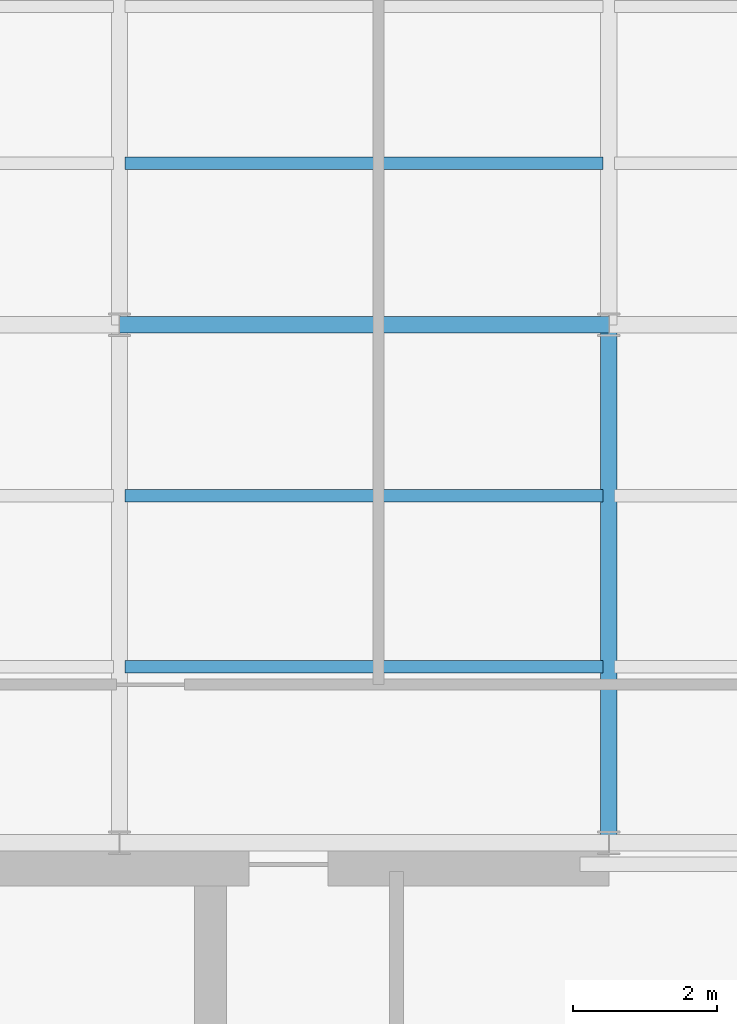
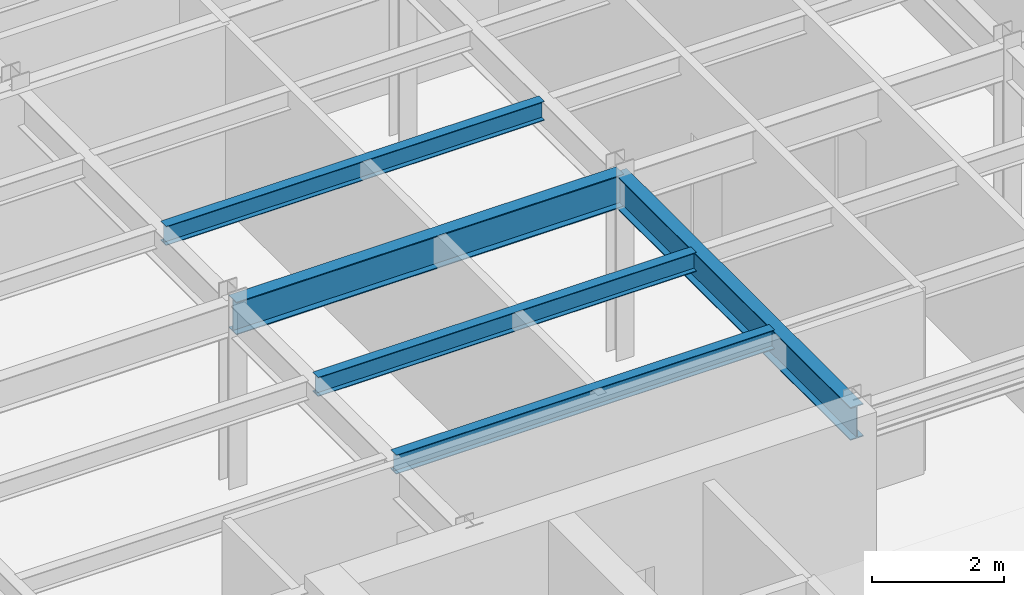
# One storey, part 6 of 22: 5 beams.
"""IFC4 building model written with IfcOpenShell, lengths in metres."""

import ifcopenshell
import ifcopenshell.guid

model = None  # the IFC model being written
_history = None  # IfcOwnerHistory: only IFC2X3 demands one
_inside = {}  # id of a spatial element -> (the spatial element, [elements in it])
_under = {}  # id of a project, library or spatial element -> (it, [spatial elements below it])
_declared = {}  # id of a project -> (the project, [libraries it declares])
_typed = {}  # id of a type object -> (the type object, [elements of that type])
_made_of = {}  # id of a material, layer set ... -> (it, [elements and type objects made of it])


def new_model(schema):
    """Start an empty IFC model of exactly this schema.

    Asked for "IFC4X3", IfcOpenShell would pick the latest addendum, in which some entities
    have other attributes; the version numbers below select the first issue.
    IFC2X3 requires an IfcOwnerHistory on every rooted entity: one is made here for all.
    """
    global model, _history
    if schema == "IFC4X3":
        model = ifcopenshell.file(schema_version=(4, 3, 0, 0))
    else:
        model = ifcopenshell.file(schema=schema)
    _inside.clear()
    _under.clear()
    _declared.clear()
    _typed.clear()
    _made_of.clear()
    _history = None
    if model.schema == "IFC2X3":
        org = make("IfcOrganization", Name="unknown")
        user = make(
            "IfcPersonAndOrganization",
            ThePerson=make("IfcPerson", FamilyName="unknown"),
            TheOrganization=org,
        )
        app = make(
            "IfcApplication",
            ApplicationDeveloper=org,
            Version="unknown",
            ApplicationFullName="unknown",
            ApplicationIdentifier="unknown",
        )
        _history = make(
            "IfcOwnerHistory",
            OwningUser=user,
            OwningApplication=app,
            ChangeAction="ADDED",
            CreationDate=0,
        )
    return model


def make(cls, **values):
    """One entity of the class cls with the attributes given. An attribute that is None is left unset."""
    return model.create_entity(
        cls, **{name: value for name, value in values.items() if value is not None}
    )


def rooted(cls, **values):
    """An entity with a GlobalId (a new one), such as an element, a storey or a relation."""
    return make(cls, GlobalId=ifcopenshell.guid.new(), OwnerHistory=_history, **values)


def si_unit(unit_type, name, prefix=None):
    """IfcSIUnit, for example si_unit("LENGTHUNIT", "METRE", prefix="MILLI")."""
    return make("IfcSIUnit", UnitType=unit_type, Prefix=prefix, Name=name)


def derived_unit(unit_type, elements):
    """IfcDerivedUnit: a product of units, each with its exponent."""
    return make(
        "IfcDerivedUnit",
        Elements=[
            make("IfcDerivedUnitElement", Unit=unit, Exponent=power)
            for unit, power in elements
        ],
        UnitType=unit_type,
    )


def assignment(units):
    """IfcUnitAssignment: the units of a project."""
    return None if units is None else make("IfcUnitAssignment", Units=units)


def point(xyz):
    """IfcCartesianPoint."""
    return None if xyz is None else make("IfcCartesianPoint", Coordinates=xyz)


def direction(xyz):
    """IfcDirection."""
    return None if xyz is None else make("IfcDirection", DirectionRatios=xyz)


def frame(location, z_axis=None, x_axis=None):
    """IfcAxis2Placement3D, a coordinate frame: its origin and axes. An axis left out is left unset."""
    return make(
        "IfcAxis2Placement3D",
        Location=point(location),
        Axis=direction(z_axis),
        RefDirection=direction(x_axis),
    )


def frame_2d(location, x_axis=None):
    """IfcAxis2Placement2D, a coordinate frame in the plane: its origin and x axis."""
    return make(
        "IfcAxis2Placement2D", Location=point(location), RefDirection=direction(x_axis)
    )


def origin():
    """The frame at (0, 0, 0) with its axes left unset."""
    return frame((0.0, 0.0, 0.0))


def origin_2d():
    """The frame at (0, 0) in the plane with its x axis left unset."""
    return frame_2d((0.0, 0.0))


def place(relative_to, where):
    """IfcLocalPlacement: puts the frame where relative to a parent placement (None: the world)."""
    return make(
        "IfcLocalPlacement", PlacementRelTo=relative_to, RelativePlacement=where
    )


def context(
    kind, dimensions, precision=None, world=None, true_north=None, identifier=None
):
    """IfcGeometricRepresentationContext, for example the 3D "Model" context."""
    return make(
        "IfcGeometricRepresentationContext",
        ContextIdentifier=identifier,
        ContextType=kind,
        CoordinateSpaceDimension=dimensions,
        Precision=precision,
        WorldCoordinateSystem=world,
        TrueNorth=true_north,
    )


def subcontext(parent, identifier, kind, view, scale=None):
    """IfcGeometricRepresentationSubContext, for example "Body" below "Model"."""
    return make(
        "IfcGeometricRepresentationSubContext",
        ContextIdentifier=identifier,
        ContextType=kind,
        ParentContext=parent,
        TargetScale=scale,
        TargetView=view,
    )


def project(units=None, contexts=None):
    """IfcProject with its units and contexts."""
    return rooted(
        "IfcProject",
        Name="project",
        RepresentationContexts=contexts,
        UnitsInContext=assignment(units),
    )


def spatial(cls, under=None, at=None, **own):
    """A site, building, storey or space (cls), placed at a placement, below another one or the project."""
    s = rooted(cls, ObjectPlacement=at, **own)
    if under is not None:
        _under.setdefault(under.id(), (under, []))[1].append(s)
    return s


def profile(cls, at=None, kind="AREA", **sizes):
    """A parametric profile (cls). Its sizes go by their IFC names, for example OverallWidth=200.0."""
    return make(cls, ProfileType=kind, Position=at, **sizes)


def i_section(**sizes):
    """IfcIShapeProfileDef."""
    return profile("IfcIShapeProfileDef", **sizes)


def extrude(swept, where, along, depth):
    """IfcExtrudedAreaSolid: the profile swept, set in the frame where, extruded along a direction by depth."""
    return make(
        "IfcExtrudedAreaSolid",
        SweptArea=swept,
        Position=where,
        ExtrudedDirection=direction(along),
        Depth=depth,
    )


def shape(context_of_items, identifier, shape_type, items):
    """IfcShapeRepresentation: the items that make up one representation, for example the "Body"."""
    return make(
        "IfcShapeRepresentation",
        ContextOfItems=context_of_items,
        RepresentationIdentifier=identifier,
        RepresentationType=shape_type,
        Items=items,
    )


def source(mapping_origin, context_of_items, identifier, shape_type, items):
    """IfcRepresentationMap: a shape defined once, which mapped items show again and again."""
    return make(
        "IfcRepresentationMap",
        MappingOrigin=mapping_origin,
        MappedRepresentation=shape(context_of_items, identifier, shape_type, items),
    )


def transform(
    local_origin,
    x_axis=None,
    y_axis=None,
    z_axis=None,
    scale=None,
    scale2=None,
    scale3=None,
    uniform=True,
):
    """IfcCartesianTransformationOperator3D, or its non-uniform kind. x_axis, y_axis, z_axis: its Axis1, 2, 3."""
    if uniform:
        return make(
            "IfcCartesianTransformationOperator3D",
            Axis1=direction(x_axis),
            Axis2=direction(y_axis),
            LocalOrigin=point(local_origin),
            Scale=scale,
            Axis3=direction(z_axis),
        )
    return make(
        "IfcCartesianTransformationOperator3DnonUniform",
        Axis1=direction(x_axis),
        Axis2=direction(y_axis),
        LocalOrigin=point(local_origin),
        Scale=scale,
        Axis3=direction(z_axis),
        Scale2=scale2,
        Scale3=scale3,
    )


def mapped(mapping_source, mapping_target):
    """IfcMappedItem: shows the shape of a source again, moved by a transform."""
    return make(
        "IfcMappedItem", MappingSource=mapping_source, MappingTarget=mapping_target
    )


def material(Name=None, Category=None):
    """IfcMaterial."""
    return make("IfcMaterial", Name=Name, Category=Category)


def material_profile(
    of_material, cross_section, Name=None, Category=None, Priority=None
):
    """IfcMaterialProfile: a cross section and its material."""
    return make(
        "IfcMaterialProfile",
        Name=Name,
        Material=of_material,
        Profile=cross_section,
        Priority=Priority,
        Category=Category,
    )


def profile_set(profiles, Name=None, composite=None):
    """IfcMaterialProfileSet."""
    return make(
        "IfcMaterialProfileSet",
        Name=Name,
        MaterialProfiles=profiles,
        CompositeProfile=composite,
    )


def made_of(thing, what):
    """Note that an element or type object is made of a material, layer set ...; save() writes the relation."""
    if what is not None:
        _made_of.setdefault(what.id(), (what, []))[1].append(thing)
    return thing


def type_object(cls, material=None, **own):
    """A type object (cls), such as IfcWallType, which elements share."""
    return made_of(rooted(cls, **own), material)


def element(
    cls,
    number,
    at=None,
    inside=None,
    cuts=None,
    type_object=None,
    material=None,
    context=None,
    identifier="Body",
    shape_type=None,
    held_by="IfcProductDefinitionShape",
    body=None,
    shapes=None,
    **own,
):
    """One element of the class cls, such as IfcWall. Its Tag is "e" and its number.

    at: its placement. inside: the storey or other place that contains it. cuts: it is an
    opening in that element (IfcRelVoidsElement). A single representation is given by context,
    identifier, shape_type and body (its items); several are given by shapes. held_by: the class
    of the entity that holds the representations. save() writes the other relations.
    """
    e = rooted(cls, Tag="e%d" % number, ObjectPlacement=at, **own)
    if body is not None:
        shapes = [shape(context, identifier, shape_type, body)]
    if shapes is not None:
        e.Representation = make(held_by, Representations=shapes)
    if inside is not None:
        _inside.setdefault(inside.id(), (inside, []))[1].append(e)
    if cuts is not None:
        rooted(
            "IfcRelVoidsElement", RelatingBuildingElement=cuts, RelatedOpeningElement=e
        )
    if type_object is not None:
        _typed.setdefault(type_object.id(), (type_object, []))[1].append(e)
    return made_of(e, material)


def aggregate(whole, parts):
    """IfcRelAggregates: a whole, such as a stair, and the parts it consists of."""
    return rooted("IfcRelAggregates", RelatingObject=whole, RelatedObjects=parts)


def save(model, path):
    """Write the relations noted so far, then the file.

    IfcRelAggregates (storeys below a building ...), IfcRelContainedInSpatialStructure (elements
    in a storey), IfcRelDefinesByType, IfcRelAssociatesMaterial and IfcRelDeclares: one each for
    every whole, place, type object, material and project.
    """
    for whole, parts in _under.values():
        aggregate(whole, parts)
    for where, things in _inside.values():
        rooted(
            "IfcRelContainedInSpatialStructure",
            RelatedElements=things,
            RelatingStructure=where,
        )
    for kind, things in _typed.values():
        rooted("IfcRelDefinesByType", RelatedObjects=things, RelatingType=kind)
    for what, things in _made_of.values():
        rooted("IfcRelAssociatesMaterial", RelatedObjects=things, RelatingMaterial=what)
    for by, libraries in _declared.values():
        rooted("IfcRelDeclares", RelatingContext=by, RelatedDefinitions=libraries)
    model.write(path)


model = new_model("IFC4")

# Units and contexts
model_context = context("Model", 3, precision=1e-05, world=origin(), true_north=direction((0.0, 1.0)))
body_context = subcontext(model_context, "Body", "Model", "MODEL_VIEW")
ifc_project = project(units=[si_unit("LENGTHUNIT", "METRE"), si_unit("AREAUNIT", "SQUARE_METRE"), si_unit("VOLUMEUNIT", "CUBIC_METRE"), si_unit("PLANEANGLEUNIT", "RADIAN"), si_unit("MASSUNIT", "GRAM", prefix="KILO"), derived_unit("THERMALTRANSMITTANCEUNIT", [(si_unit("POWERUNIT", "WATT"), 1), (si_unit("LENGTHUNIT", "METRE"), -2), (si_unit("THERMODYNAMICTEMPERATUREUNIT", "KELVIN"), -1)])], contexts=[model_context])

# Site, building, storey
site_placement = place(None, origin())
site = spatial("IfcSite", under=ifc_project, at=site_placement, CompositionType="ELEMENT")
building_placement = place(site_placement, origin())
building = spatial("IfcBuilding", under=site, at=building_placement, Name="Skarnbrae Concourse Arena and Tower", CompositionType="ELEMENT")
storey_placement = place(building_placement, frame((0.0, 0.0, 214.14990234375)))
storey = spatial("IfcBuildingStorey", under=building, at=storey_placement, Name="L55", CompositionType="ELEMENT", Elevation=214.14990234375)

# Beams
ifc_material = material(Name="Steel CSA G40.21 350W", Category="steel")
ifc_material_profile_1 = material_profile(ifc_material, i_section(OverallWidth=0.22802734375, OverallDepth=0.60791015625, WebThickness=0.01123046875, FlangeThickness=0.017333984375, at=origin_2d()), Name="W610X113")
ifc_profile_set_1 = profile_set([ifc_material_profile_1], Name="Steel CSA G40.21 350W")
beam_type_1 = type_object("IfcBeamType", Name="BM-GIRD-W610X113", PredefinedType="BEAM", material=ifc_profile_set_1)
shared_shape_1 = source(origin(), body_context, "Body", "SweptSolid", [
    extrude(i_section(OverallWidth=0.22802734375, OverallDepth=0.60791015625, WebThickness=0.01123046875, FlangeThickness=0.017333984375, at=origin_2d()), origin(), (0.0, 0.0, 1.0), 6.7998046875),
])
beam_1_placement = place(storey_placement, frame((7.60009765625, 21.199951171875, 3.09619140625), z_axis=(1.0, 0.0, 0.0), x_axis=(0.0, 1.0, 0.0)))
element("IfcBeam", 1, at=beam_1_placement, inside=storey, type_object=beam_type_1, Name="L55 Primary E-W girder Y21.2-2", PredefinedType="BEAM", context=body_context, shape_type="MappedRepresentation", body=[
    mapped(shared_shape_1, transform((0.0, 0.0, 0.0))),
])
shared_shape_2 = source(origin(), body_context, "Body", "SweptSolid", [
    extrude(i_section(OverallWidth=0.22802734375, OverallDepth=0.60791015625, WebThickness=0.01123046875, FlangeThickness=0.017333984375, at=origin_2d()), origin(), (0.0, 0.0, 1.0), 7.199951171875),
])
beam_2_placement = place(storey_placement, frame((14.39990234375, 14.0, 3.09619140625), z_axis=(0.0, 1.0, 0.0), x_axis=(-1.0, 0.0, 0.0)))
element("IfcBeam", 2, at=beam_2_placement, inside=storey, type_object=beam_type_1, Name="L55 Primary N-S girder X14.4-1", PredefinedType="BEAM", context=body_context, shape_type="MappedRepresentation", body=[
    mapped(shared_shape_2, transform((0.0, 0.0, 0.0))),
])
ifc_material_profile_2 = material_profile(ifc_material, i_section(OverallWidth=0.1708984375, OverallDepth=0.35498046875, WebThickness=0.007080078125, FlangeThickness=0.01171875, at=origin_2d()), Name="W360X51")
ifc_profile_set_2 = profile_set([ifc_material_profile_2], Name="Steel CSA G40.21 350W")
beam_type_2 = type_object("IfcBeamType", Name="BM-JOIST-W360X51", PredefinedType="JOIST", material=ifc_profile_set_2)
shared_shape_3 = source(origin(), body_context, "Body", "SweptSolid", [
    extrude(i_section(OverallWidth=0.1708984375, OverallDepth=0.35498046875, WebThickness=0.007080078125, FlangeThickness=0.01171875, at=origin_2d()), origin(), (0.0, 0.0, 1.0), 6.64013671875),
])
for number, where, z_axis, x_axis, name in (
    (3, (7.679931640625, 16.447998046875, 3.22265625), (1.0, 0.0, 0.0), (0.0, 1.0, 0.0), "L55 Secondary floor joist 1.1.2"),
    (4, (7.679931640625, 18.823974609375, 3.22265625), (1.0, 0.0, 0.0), (0.0, 1.0, 0.0), "L55 Secondary floor joist 1.2.2"),
    (5, (7.679931640625, 23.444091796875, 3.22265625), (1.0, 0.0, 0.0), (0.0, 1.0, 0.0), "L55 Secondary floor joist 2.1.2"),
):
    element("IfcBeam", number, at=place(storey_placement, frame(where, z_axis=z_axis, x_axis=x_axis)), inside=storey, type_object=beam_type_2, Name=name, PredefinedType="JOIST", context=body_context, shape_type="MappedRepresentation", body=[
        mapped(shared_shape_3, transform((0.0, 0.0, 0.0))),
    ])

save(model, "model.ifc")
